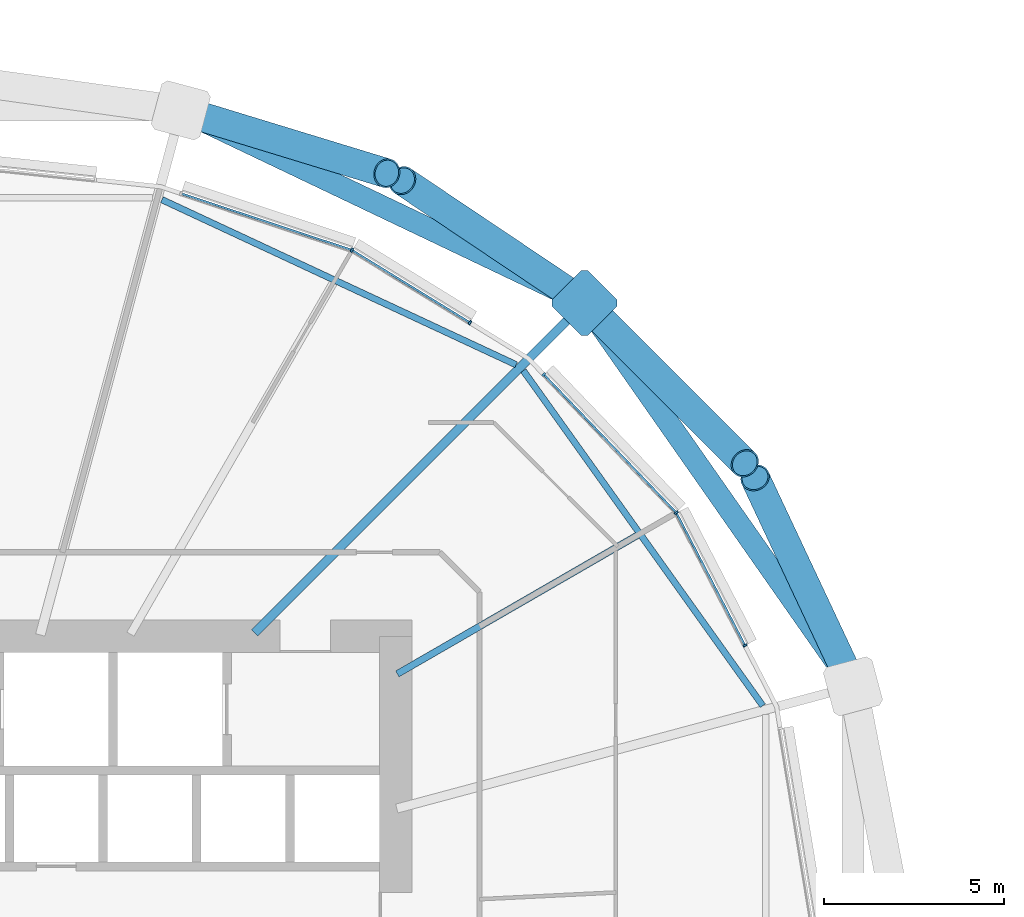
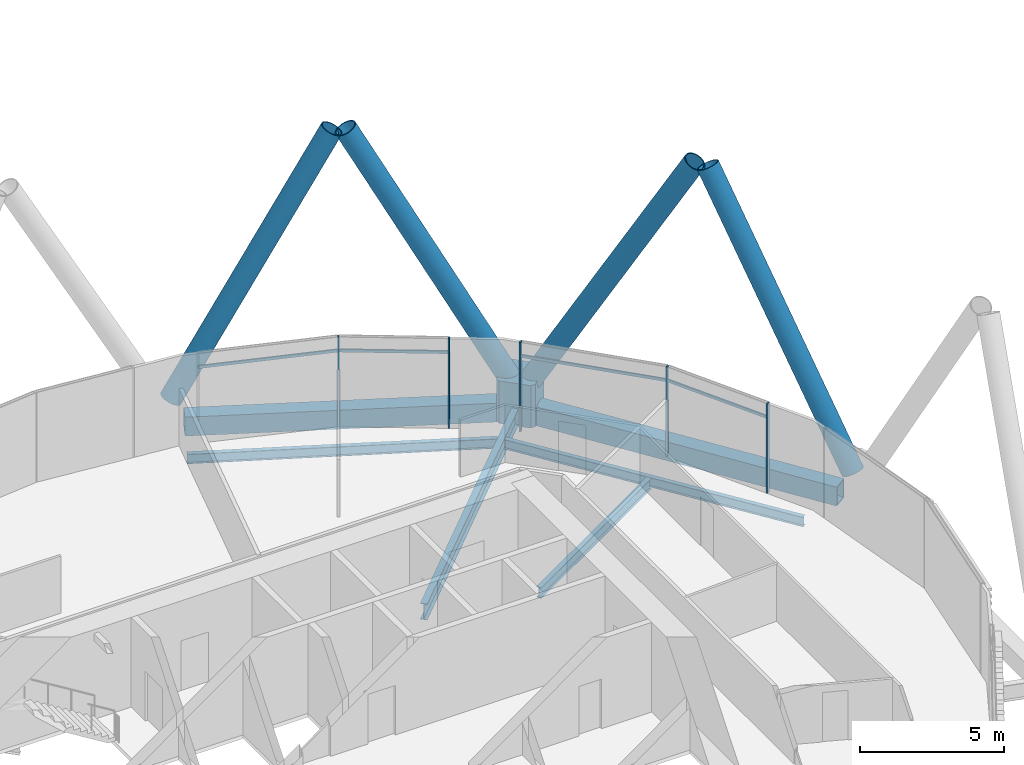
# One storey, part 10 of 36: 14 members, 6 beams, 1 element without a shape of its own.
"""IFC4 building model written with IfcOpenShell, lengths in metres."""

from ifc_helpers import new_model, si_unit, direction, frame, origin, origin_2d, place, context, subcontext, project, spatial, polyline, rectangle, hollow_rectangle, hollow_circle, i_section, outline, extrude, material, material_profile, profile_set, type_object, element, aggregate, save


model = new_model("IFC4")

# Units and contexts
model_context = context("Model", 3, precision=1e-05, world=origin(), true_north=direction((0.0, 1.0)))
body_context = subcontext(model_context, "Body", "Model", "MODEL_VIEW")
ifc_project = project(units=[si_unit("LENGTHUNIT", "METRE"), si_unit("AREAUNIT", "SQUARE_METRE"), si_unit("VOLUMEUNIT", "CUBIC_METRE"), si_unit("PLANEANGLEUNIT", "RADIAN"), si_unit("MASSUNIT", "GRAM", prefix="KILO")], contexts=[model_context])

# Site, building, storey
site_placement = place(None, origin())
site = spatial("IfcSite", under=ifc_project, at=site_placement, CompositionType="ELEMENT")
building_placement = place(site_placement, origin())
building = spatial("IfcBuilding", under=site, at=building_placement, Name="Rimbun Link Towers", CompositionType="ELEMENT")
storey_placement = place(building_placement, frame((0.0, 0.0, 64.199951171875)))
storey = spatial("IfcBuildingStorey", under=building, at=storey_placement, Name="L15", CompositionType="ELEMENT", Elevation=64.199951171875)

# Curtain wall, members
ifc_material_1 = material(Name="Aluminium 6063-T6 and low-iron glass", Category="aluminium")
curtain_wall_type = type_object("IfcCurtainWallType", Name="CW1 unitised vision wall", PredefinedType="NOTDEFINED", material=ifc_material_1)
curtain_wall_placement = place(storey_placement, origin())
curtain_wall = element("IfcCurtainWall", 1, at=curtain_wall_placement, inside=storey, type_object=curtain_wall_type, Name="CW1 L15 T1", PredefinedType="NOTDEFINED")
ifc_material_2 = material(Name="Aluminium 6063-T6", Category="aluminium")
ifc_material_profile_1 = material_profile(ifc_material_2, rectangle(XDim=0.1201171875, YDim=0.06005859375, at=origin_2d()), Name="MULLION 60X120")
ifc_profile_set_1 = profile_set([ifc_material_profile_1], Name="Aluminium 6063-T6")
member_type_1 = type_object("IfcMemberType", Name="CW1 mullion 60X120", PredefinedType="MULLION", material=ifc_profile_set_1)
member_1_placement = place(storey_placement, frame((-11.972412109375, 11.42529296875, 0.0), z_axis=(0.0, 0.0, 1.0), x_axis=(0.813351214919, 0.581772980801, 0.0)))
member_1 = element("IfcMember", 2, at=member_1_placement, type_object=member_type_1, Name="CW1 mullion", PredefinedType="MULLION", context=body_context, shape_type="SweptSolid", body=[
    extrude(rectangle(XDim=0.1201171875, YDim=0.06005859375, at=origin_2d()), origin(), (0.0, 0.0, 1.0), 3.800048828125),
])
member_2_placement = place(storey_placement, frame((-10.067138671875, 7.74462890625, 0.0), z_axis=(0.0, 0.0, 1.0), x_axis=(0.888148629228, 0.45955632125, 0.0)))
member_2 = element("IfcMember", 3, at=member_2_placement, type_object=member_type_1, Name="CW1 mullion", PredefinedType="MULLION", context=body_context, shape_type="SweptSolid", body=[
    extrude(rectangle(XDim=0.1201171875, YDim=0.06005859375, at=origin_2d()), origin(), (0.0, 0.0, 1.0), 3.800048828125),
])
member_3_placement = place(storey_placement, frame((-15.643798828125, 15.256103515625, 0.0), z_axis=(0.0, 0.0, 1.0), x_axis=(0.721854427226, 0.692044930546, 0.0)))
member_3 = element("IfcMember", 4, at=member_3_placement, type_object=member_type_1, Name="CW1 mullion", PredefinedType="MULLION", context=body_context, shape_type="SweptSolid", body=[
    extrude(rectangle(XDim=0.1201171875, YDim=0.06005859375, at=origin_2d()), origin(), (0.0, 0.0, 1.0), 3.800048828125),
])
member_4_placement = place(storey_placement, frame((-20.959716796875, 18.699951171875, 0.0), z_axis=(0.0, 0.0, 1.0), x_axis=(0.421698890318, 0.906735929532, 0.0)))
member_4 = element("IfcMember", 5, at=member_4_placement, type_object=member_type_1, Name="CW1 mullion", PredefinedType="MULLION", context=body_context, shape_type="SweptSolid", body=[
    extrude(rectangle(XDim=0.1201171875, YDim=0.06005859375, at=origin_2d()), origin(), (0.0, 0.0, 1.0), 3.800048828125),
])
member_5_placement = place(storey_placement, frame((-17.690185546875, 16.69287109375, 0.0), z_axis=(0.0, 0.0, 1.0), x_axis=(0.523239240316, 0.852185835011, 0.0)))
member_5 = element("IfcMember", 6, at=member_5_placement, type_object=member_type_1, Name="CW1 mullion", PredefinedType="MULLION", context=body_context, shape_type="SweptSolid", body=[
    extrude(rectangle(XDim=0.1201171875, YDim=0.06005859375, at=origin_2d()), origin(), (0.0, 0.0, 1.0), 3.800048828125),
])
ifc_material_3 = material(Name="Aluminium 6063-T6", Category="aluminium")
ifc_material_profile_2 = material_profile(ifc_material_3, rectangle(XDim=0.06005859375, YDim=0.1201171875, at=origin_2d()), Name="TRANSOM 60X120")
ifc_profile_set_2 = profile_set([ifc_material_profile_2], Name="Aluminium 6063-T6")
member_type_2 = type_object("IfcMemberType", Name="CW1 transom 60X120", PredefinedType="USERDEFINED", material=ifc_profile_set_2)
member_6_placement = place(storey_placement, frame((-11.955810546875, 11.390625, 3.199951171875), z_axis=(0.45955652042, -0.888148526171, 0.0), x_axis=(0.888148526171, 0.45955652042, 0.0)))
member_6 = element("IfcMember", 7, at=member_6_placement, type_object=member_type_2, Name="CW1 transom", ObjectType="TRANSOM", PredefinedType="USERDEFINED", context=body_context, shape_type="SweptSolid", body=[
    extrude(rectangle(XDim=0.06005859375, YDim=0.1201171875, at=origin_2d()), origin(), (0.0, 0.0, 1.0), 4.076416015625),
])
member_7_placement = place(storey_placement, frame((-15.62451171875, 15.23291015625, 3.199951171875), z_axis=(0.692056205714, -0.721843617505, 0.0), x_axis=(0.721843617505, 0.692056205714, 0.0)))
member_7 = element("IfcMember", 8, at=member_7_placement, type_object=member_type_2, Name="CW1 transom", ObjectType="TRANSOM", PredefinedType="USERDEFINED", context=body_context, shape_type="SweptSolid", body=[
    extrude(rectangle(XDim=0.06005859375, YDim=0.1201171875, at=origin_2d()), origin(), (0.0, 0.0, 1.0), 5.2373046875),
])
member_8_placement = place(storey_placement, frame((-20.92919921875, 18.67919921875, 3.199951171875), z_axis=(0.852184905229, -0.523240754624, 0.0), x_axis=(0.523240754624, 0.852184905229, 0.0)))
member_8 = element("IfcMember", 9, at=member_8_placement, type_object=member_type_2, Name="CW1 transom", ObjectType="TRANSOM", PredefinedType="USERDEFINED", context=body_context, shape_type="SweptSolid", body=[
    extrude(rectangle(XDim=0.06005859375, YDim=0.1201171875, at=origin_2d()), origin(), (0.0, 0.0, 1.0), 3.76953125),
])
member_9_placement = place(storey_placement, frame((-25.667236328125, 20.25830078125, 3.199951171875), z_axis=(0.949232441731, -0.314575541906, 0.0), x_axis=(0.314575541906, 0.949232441731, 0.0)))
member_9 = element("IfcMember", 10, at=member_9_placement, type_object=member_type_2, Name="CW1 transom", ObjectType="TRANSOM", PredefinedType="USERDEFINED", context=body_context, shape_type="SweptSolid", body=[
    extrude(rectangle(XDim=0.06005859375, YDim=0.1201171875, at=origin_2d()), origin(), (0.0, 0.0, 1.0), 4.921875),
])
aggregate(curtain_wall, [member_1, member_2, member_3, member_4, member_5, member_6, member_7, member_8, member_9])

# Members
ifc_material_4 = material(Name="Steel S460NH", Category="steel")
ifc_material_profile_3 = material_profile(ifc_material_4, hollow_circle(Radius=0.406494140625, WallThickness=0.0400390625, at=origin_2d()), Name="Diagrid diagonal CHS 813x40")
ifc_profile_set_3 = profile_set([ifc_material_profile_3], Name="Steel S460NH")
member_type_3 = type_object("IfcMemberType", Name="Diagrid diagonal CHS 813x40", PredefinedType="BRACE", material=ifc_profile_set_3)
member_10_placement = place(storey_placement, frame((-7.180908203125, 6.839599609375, 0.43212890625), z_axis=(-0.213846772406, 0.455330606614, 0.864258987001), x_axis=(-0.905145044883, -0.425102867226, 0.0)))
element("IfcMember", 11, at=member_10_placement, inside=storey, type_object=member_type_3, Name="Diagrid diagonal T1 L15-L18 01b", PredefinedType="BRACE", context=body_context, shape_type="SweptSolid", body=[
    extrude(hollow_circle(Radius=0.406494140625, WallThickness=0.0400390625, at=origin_2d()), origin(), (0.0, 0.0, 1.0), 12.190673828125),
])
member_11_placement = place(storey_placement, frame((-14.335693359375, 17.062744140625, 0.433837890625), z_axis=(0.351368113295, -0.351669803146, 0.867680124536), x_axis=(0.707410151948, 0.706803280214, 0.0)))
element("IfcMember", 12, at=member_11_placement, inside=storey, type_object=member_type_3, Name="Diagrid diagonal T1 L15-L18 03a", PredefinedType="BRACE", context=body_context, shape_type="SweptSolid", body=[
    extrude(hollow_circle(Radius=0.406494140625, WallThickness=0.0400390625, at=origin_2d()), origin(), (0.0, 0.0, 1.0), 12.138671875),
])
member_12_placement = place(storey_placement, frame((-14.712890625, 17.37353515625, 0.437255859375), z_axis=(-0.402836641157, 0.270288559492, 0.874452248639), x_axis=(-0.55716779245, -0.830399934403, 0.0)))
element("IfcMember", 13, at=member_12_placement, inside=storey, type_object=member_type_3, Name="Diagrid diagonal T1 L15-L18 03b", PredefinedType="BRACE", context=body_context, shape_type="SweptSolid", body=[
    extrude(hollow_circle(Radius=0.406494140625, WallThickness=0.0400390625, at=origin_2d()), origin(), (0.0, 0.0, 1.0), 12.036865234375),
])
member_13_placement = place(storey_placement, frame((-25.472412109375, 22.5048828125, 0.439208984375), z_axis=(0.457450573038, -0.13964580948, 0.87820158342), x_axis=(0.291968491142, 0.956427937787, 0.0)))
element("IfcMember", 14, at=member_13_placement, inside=storey, type_object=member_type_3, Name="Diagrid diagonal T1 L15-L18 05a", PredefinedType="BRACE", context=body_context, shape_type="SweptSolid", body=[
    extrude(hollow_circle(Radius=0.406494140625, WallThickness=0.0400390625, at=origin_2d()), origin(), (0.0, 0.0, 1.0), 11.98095703125),
])
ifc_material_5 = material(Name="Cast steel G20Mn5+QT, Rp0.2 300 MPa", Category="steel")
ifc_material_profile_4 = material_profile(ifc_material_5, outline(polyline([(0.699951171875, -0.570068359375), (0.699951171875, 0.570068359375), (0.570068359375, 0.699951171875), (-0.570068359375, 0.699951171875), (-0.699951171875, 0.570068359375), (-0.699951171875, -0.570068359375), (-0.570068359375, -0.699951171875), (0.570068359375, -0.699951171875), (0.699951171875, -0.570068359375)])), Name="NODE 1400x1400")
ifc_profile_set_4 = profile_set([ifc_material_profile_4], Name="Cast steel G20Mn5+QT, Rp0.2 300 MPa")
member_type_4 = type_object("IfcMemberType", Name="Diagrid node cast 1400", PredefinedType="USERDEFINED", material=ifc_profile_set_4)
member_14_placement = place(storey_placement, frame((-14.511474609375, 17.238525390625, -0.89990234375), z_axis=(0.0, 0.0, 1.0), x_axis=(0.707106781187, 0.707106781187, 0.0)))
element("IfcMember", 15, at=member_14_placement, inside=storey, type_object=member_type_4, Name="Diagrid node L15 03", ObjectType="Diagrid node", PredefinedType="USERDEFINED", context=body_context, shape_type="SweptSolid", body=[
    extrude(outline(polyline([(0.699951171875, -0.570068359375), (0.699951171875, 0.570068359375), (0.570068359375, 0.699951171875), (-0.570068359375, 0.699951171875), (-0.699951171875, 0.570068359375), (-0.699951171875, -0.570068359375), (-0.570068359375, -0.699951171875), (0.570068359375, -0.699951171875), (0.699951171875, -0.570068359375)])), origin(), (0.0, 0.0, 1.0), 1.800048828125),
])

# Beams
ifc_material_6 = material(Name="Steel S355J2", Category="steel")
ifc_material_profile_5 = material_profile(ifc_material_6, hollow_rectangle(XDim=0.60009765625, YDim=0.800048828125, WallThickness=0.0400390625, at=origin_2d()), Name="Exoskeleton ring girder BOX 600x800x40")
ifc_profile_set_5 = profile_set([ifc_material_profile_5], Name="Steel S355J2")
beam_type_1 = type_object("IfcBeamType", Name="Exoskeleton ring girder BOX 600x800x40", PredefinedType="BEAM", material=ifc_profile_set_5)
beam_1_placement = place(storey_placement, frame((-7.475341796875, 7.185302734375, -0.56005859375), z_axis=(-0.573401451452, 0.819274542185, 0.0), x_axis=(-0.819274542185, -0.573401451452, 0.0)))
element("IfcBeam", 16, at=beam_1_placement, inside=storey, type_object=beam_type_1, Name="Exoskeleton ring girder L15 00", PredefinedType="BEAM", context=body_context, shape_type="SweptSolid", body=[
    extrude(hollow_rectangle(XDim=0.60009765625, YDim=0.800048828125, WallThickness=0.0400390625, at=origin_2d()), origin(), (0.0, 0.0, 1.0), 11.57080078125),
])
beam_2_placement = place(storey_placement, frame((-15.143310546875, 17.539794921875, -0.56005859375), z_axis=(-0.902623188498, 0.430431620105, 0.0), x_axis=(-0.430431620105, -0.902623188498, 0.0)))
element("IfcBeam", 17, at=beam_2_placement, inside=storey, type_object=beam_type_1, Name="Exoskeleton ring girder L15 01", PredefinedType="BEAM", context=body_context, shape_type="SweptSolid", body=[
    extrude(hollow_rectangle(XDim=0.60009765625, YDim=0.800048828125, WallThickness=0.0400390625, at=origin_2d()), origin(), (0.0, 0.0, 1.0), 10.996826171875),
])
ifc_material_7 = material(Name="Steel S355J2", Category="steel")
ifc_material_profile_6 = material_profile(ifc_material_7, i_section(OverallWidth=0.177978515625, OverallDepth=0.406494140625, WebThickness=0.0078125, FlangeThickness=0.0126953125, at=origin_2d()), Name="UB 406x178x60")
ifc_profile_set_6 = profile_set([ifc_material_profile_6], Name="Steel S355J2")
beam_type_2 = type_object("IfcBeamType", Name="UB 406x178x60", PredefinedType="BEAM", material=ifc_profile_set_6)
beam_3_placement = place(storey_placement, frame((-9.57373046875, 6.074462890625, -0.363037109375), z_axis=(-0.581367694083, 0.813640955383, 0.0), x_axis=(-0.813640955383, -0.581367694083, 0.0)))
element("IfcBeam", 18, at=beam_3_placement, inside=storey, type_object=beam_type_2, Name="Edge beam T1 L15 01-03", PredefinedType="BEAM", context=body_context, shape_type="SweptSolid", body=[
    extrude(i_section(OverallWidth=0.177978515625, OverallDepth=0.406494140625, WebThickness=0.0078125, FlangeThickness=0.0126953125, at=origin_2d()), origin(), (0.0, 0.0, 1.0), 11.412841796875),
])
beam_4_placement = place(storey_placement, frame((-16.407470703125, 15.523193359375, -0.363037109375), z_axis=(-0.906386298275, 0.422449853, 0.0), x_axis=(-0.422449853, -0.906386298275, 0.0)))
element("IfcBeam", 19, at=beam_4_placement, inside=storey, type_object=beam_type_2, Name="Edge beam T1 L15 03-05", PredefinedType="BEAM", context=body_context, shape_type="SweptSolid", body=[
    extrude(i_section(OverallWidth=0.177978515625, OverallDepth=0.406494140625, WebThickness=0.0078125, FlangeThickness=0.0126953125, at=origin_2d()), origin(), (0.0, 0.0, 1.0), 10.831787109375),
])
ifc_material_8 = material(Name="Steel S355J2", Category="steel")
ifc_material_profile_7 = material_profile(ifc_material_8, i_section(OverallWidth=0.18994140625, OverallDepth=0.453369140625, WebThickness=0.008544921875, FlangeThickness=0.0126953125, at=origin_2d()), Name="UB 457x191x67")
ifc_profile_set_7 = profile_set([ifc_material_profile_7], Name="Steel S355J2")
beam_type_3 = type_object("IfcBeamType", Name="UB 457x191x67", PredefinedType="BEAM", material=ifc_profile_set_7)
beam_5_placement = place(storey_placement, frame((-19.70166015625, 6.9560546875, -0.38671875), z_axis=(0.866012339475, 0.500022627366, 0.0), x_axis=(-0.500022627366, 0.866012339475, 0.0)))
element("IfcBeam", 20, at=beam_5_placement, inside=storey, type_object=beam_type_3, Name="Radial beam T1 L15 02", PredefinedType="BEAM", context=body_context, shape_type="SweptSolid", body=[
    extrude(i_section(OverallWidth=0.18994140625, OverallDepth=0.453369140625, WebThickness=0.008544921875, FlangeThickness=0.0126953125, at=origin_2d()), origin(), (0.0, 0.0, 1.0), 7.674072265625),
])
ifc_material_9 = material(Name="Steel S355J2", Category="steel")
ifc_material_profile_8 = material_profile(ifc_material_9, i_section(OverallWidth=0.253662109375, OverallDepth=0.68359375, WebThickness=0.012451171875, FlangeThickness=0.01904296875, at=origin_2d()), Name="UB 686x254x140")
ifc_profile_set_8 = profile_set([ifc_material_profile_8], Name="Steel S355J2")
beam_type_4 = type_object("IfcBeamType", Name="UB 686x254x140", PredefinedType="BEAM", material=ifc_profile_set_8)
beam_6_placement = place(storey_placement, frame((-23.65966796875, 8.09033203125, -0.501708984375), z_axis=(0.707106781187, 0.707106781187, 0.0), x_axis=(-0.707106781187, 0.707106781187, 0.0)))
element("IfcBeam", 21, at=beam_6_placement, inside=storey, type_object=beam_type_4, Name="Radial beam T1 L15 03", PredefinedType="BEAM", context=body_context, shape_type="SweptSolid", body=[
    extrude(i_section(OverallWidth=0.253662109375, OverallDepth=0.68359375, WebThickness=0.012451171875, FlangeThickness=0.01904296875, at=origin_2d()), origin(), (0.0, 0.0, 1.0), 12.4375),
])

save(model, "model.ifc")
